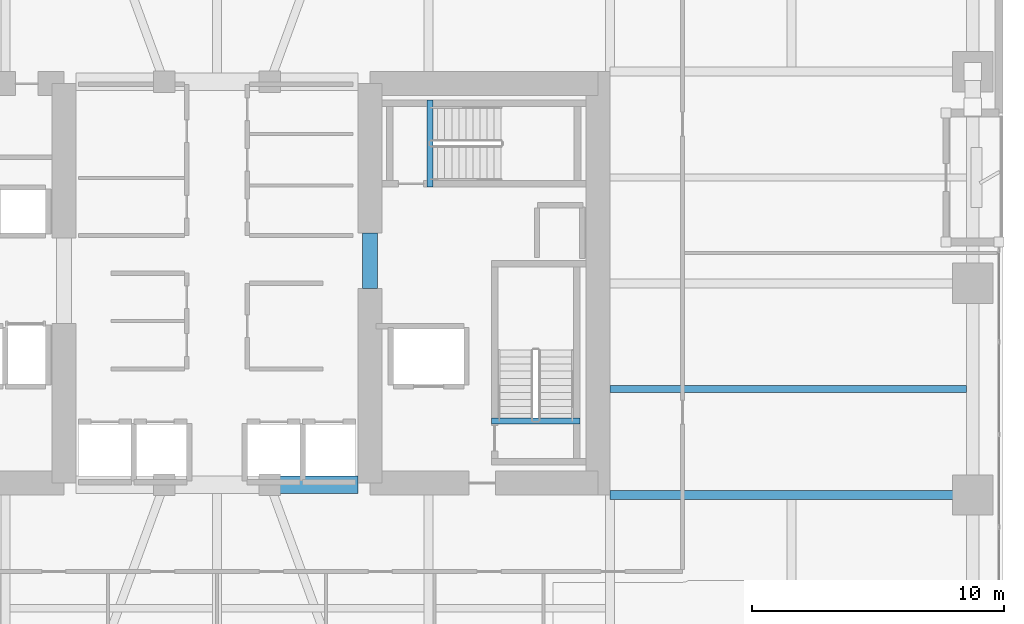
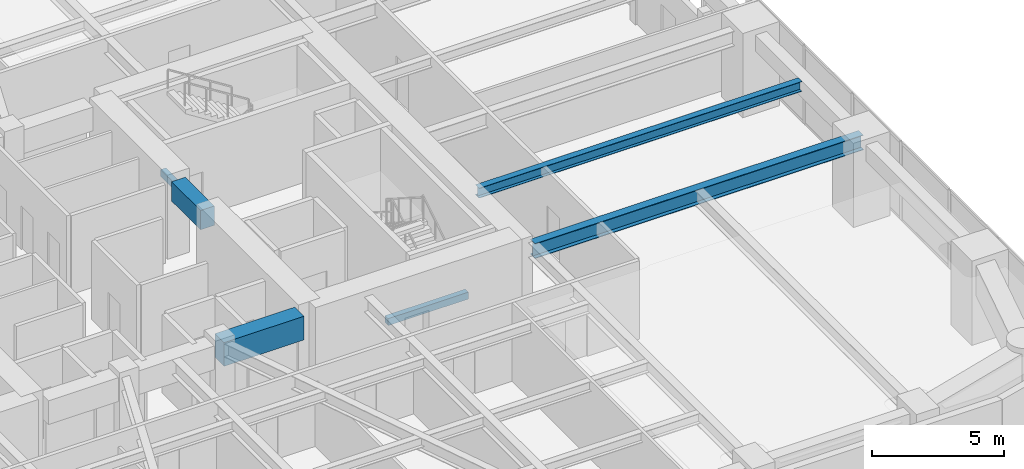
# One storey, part 7 of 28: 6 beams.
"""IFC4 building model written with IfcOpenShell, lengths in metres."""

from ifc_helpers import new_model, si_unit, direction, frame, origin, origin_2d, place, context, subcontext, project, spatial, rectangle, i_section, extrude, material, material_profile, profile_set, type_object, element, save


model = new_model("IFC4")

# Units and contexts
model_context = context("Model", 3, precision=1e-05, world=origin(), true_north=direction((0.0, 1.0)))
body_context = subcontext(model_context, "Body", "Model", "MODEL_VIEW")
ifc_project = project(units=[si_unit("LENGTHUNIT", "METRE"), si_unit("AREAUNIT", "SQUARE_METRE"), si_unit("VOLUMEUNIT", "CUBIC_METRE"), si_unit("PLANEANGLEUNIT", "RADIAN"), si_unit("MASSUNIT", "GRAM", prefix="KILO")], contexts=[model_context])

# Site, building, storey
site_placement = place(None, origin())
site = spatial("IfcSite", under=ifc_project, at=site_placement, CompositionType="ELEMENT")
building_placement = place(site_placement, origin())
building = spatial("IfcBuilding", under=site, at=building_placement, Name="Kiyonajd Concourse Tower", CompositionType="ELEMENT")
storey_placement = place(building_placement, frame((0.0, 0.0, 56.699951171875)))
storey = spatial("IfcBuildingStorey", under=building, at=storey_placement, Name="L15", CompositionType="ELEMENT", Elevation=56.699951171875)

# Beams
ifc_material_1 = material(Name="Concrete C70/85", Category="concrete")
ifc_material_profile_1 = material_profile(ifc_material_1, rectangle(XDim=0.699951171875, YDim=1.10009765625, at=origin_2d()), Name="RCBM-700x1100")
ifc_profile_set_1 = profile_set([ifc_material_profile_1], Name="Concrete C70/85")
beam_type_1 = type_object("IfcBeamType", Name="BM-COUP-1100", PredefinedType="LINTEL", material=ifc_profile_set_1)
beam_1_placement = place(storey_placement, frame((50.10009765625, 28.0, 3.090087890625), z_axis=(1.0, 0.0, 0.0), x_axis=(0.0, 1.0, 0.0)))
element("IfcBeam", 1, at=beam_1_placement, inside=storey, type_object=beam_type_1, Name="L15 Core Coupling Beam S3", PredefinedType="LINTEL", context=body_context, shape_type="SweptSolid", body=[
    extrude(rectangle(XDim=0.699951171875, YDim=1.10009765625, at=origin_2d()), origin(), (0.0, 0.0, 1.0), 3.5),
])
ifc_material_2 = material(Name="Concrete C60/75", Category="concrete")
ifc_material_profile_2 = material_profile(ifc_material_2, rectangle(XDim=0.60009765625, YDim=0.89990234375, at=origin_2d()), Name="RCBM-600x900")
ifc_profile_set_2 = profile_set([ifc_material_profile_2], Name="Concrete C60/75")
beam_type_2 = type_object("IfcBeamType", Name="BM-COUP-900", PredefinedType="LINTEL", material=ifc_profile_set_2)
beam_2_placement = place(storey_placement, frame((54.074951171875, 35.800048828125, 3.090087890625), z_axis=(0.0, 1.0, 0.0), x_axis=(-1.0, 0.0, 0.0)))
element("IfcBeam", 2, at=beam_2_placement, inside=storey, type_object=beam_type_2, Name="L15 East Core Throat Coupling Lintel", PredefinedType="LINTEL", context=body_context, shape_type="SweptSolid", body=[
    extrude(rectangle(XDim=0.60009765625, YDim=0.89990234375, at=origin_2d()), origin(), (0.0, 0.0, 1.0), 2.199951171875),
])
ifc_material_3 = material(Name="Steel ASTM A992 Grade 50", Category="steel")
ifc_material_profile_3 = material_profile(ifc_material_3, i_section(OverallWidth=0.280029296875, OverallDepth=0.462890625, WebThickness=0.0107421875, FlangeThickness=0.017333984375, at=origin_2d()), Name="W460X113")
ifc_profile_set_3 = profile_set([ifc_material_profile_3], Name="Steel ASTM A992 Grade 50")
beam_type_3 = type_object("IfcBeamType", Name="BM-JST-460A", PredefinedType="JOIST", material=ifc_profile_set_3)
beam_3_placement = place(storey_placement, frame((63.60009765625, 31.800048828125, 3.408447265625), z_axis=(1.0, 0.0, 0.0), x_axis=(0.0, 1.0, 0.0)))
element("IfcBeam", 3, at=beam_3_placement, inside=storey, type_object=beam_type_3, Name="L15 East Secondary Floor Joist", PredefinedType="JOIST", context=body_context, shape_type="SweptSolid", body=[
    extrude(i_section(OverallWidth=0.280029296875, OverallDepth=0.462890625, WebThickness=0.0107421875, FlangeThickness=0.017333984375, at=origin_2d()), origin(), (0.0, 0.0, 1.0), 14.14990234375),
])
ifc_material_4 = material(Name="Concrete C50/60", Category="concrete")
ifc_material_profile_4 = material_profile(ifc_material_4, rectangle(XDim=0.239990234375, YDim=0.320068359375, at=origin_2d()), Name="RCBM-240x320")
ifc_profile_set_4 = profile_set([ifc_material_profile_4], Name="Concrete C50/60")
beam_type_4 = type_object("IfcBeamType", Name="BM-LNT-250", PredefinedType="LINTEL", material=ifc_profile_set_4)
beam_4_placement = place(storey_placement, frame((58.889892578125, 30.530029296875, -0.159912109375), z_axis=(1.0, 0.0, 0.0), x_axis=(0.0, 1.0, 0.0)))
element("IfcBeam", 4, at=beam_4_placement, inside=storey, type_object=beam_type_4, Name="L15 Stair ST2 Threshold Support Beam", PredefinedType="LINTEL", context=body_context, shape_type="SweptSolid", body=[
    extrude(rectangle(XDim=0.239990234375, YDim=0.320068359375, at=origin_2d()), origin(), (0.0, 0.0, 1.0), 3.52001953125),
])
beam_5_placement = place(storey_placement, frame((56.4599609375, 39.820068359375, -0.159912109375), z_axis=(0.0, 1.0, 0.0), x_axis=(-1.0, 0.0, 0.0)))
element("IfcBeam", 5, at=beam_5_placement, inside=storey, type_object=beam_type_4, Name="L15 Stair ST3 Threshold Support Beam", PredefinedType="LINTEL", context=body_context, shape_type="SweptSolid", body=[
    extrude(rectangle(XDim=0.239990234375, YDim=0.320068359375, at=origin_2d()), origin(), (0.0, 0.0, 1.0), 3.4599609375),
])
ifc_material_profile_5 = material_profile(ifc_material_3, i_section(OverallWidth=0.35498046875, OverallDepth=0.695068359375, WebThickness=0.015380859375, FlangeThickness=0.02490234375, at=origin_2d()), Name="W690X217")
ifc_profile_set_5 = profile_set([ifc_material_profile_5], Name="Steel ASTM A992 Grade 50")
beam_type_5 = type_object("IfcBeamType", Name="BM-TWR-690", PredefinedType="BEAM", material=ifc_profile_set_5)
beam_6_placement = place(storey_placement, frame((63.60009765625, 27.60009765625, 3.29248046875), z_axis=(1.0, 0.0, 0.0), x_axis=(0.0, 1.0, 0.0)))
element("IfcBeam", 6, at=beam_6_placement, inside=storey, type_object=beam_type_5, Name="L15 East Lease Girder", PredefinedType="BEAM", context=body_context, shape_type="SweptSolid", body=[
    extrude(i_section(OverallWidth=0.35498046875, OverallDepth=0.695068359375, WebThickness=0.015380859375, FlangeThickness=0.02490234375, at=origin_2d()), origin(), (0.0, 0.0, 1.0), 14.39990234375),
])

save(model, "model.ifc")
